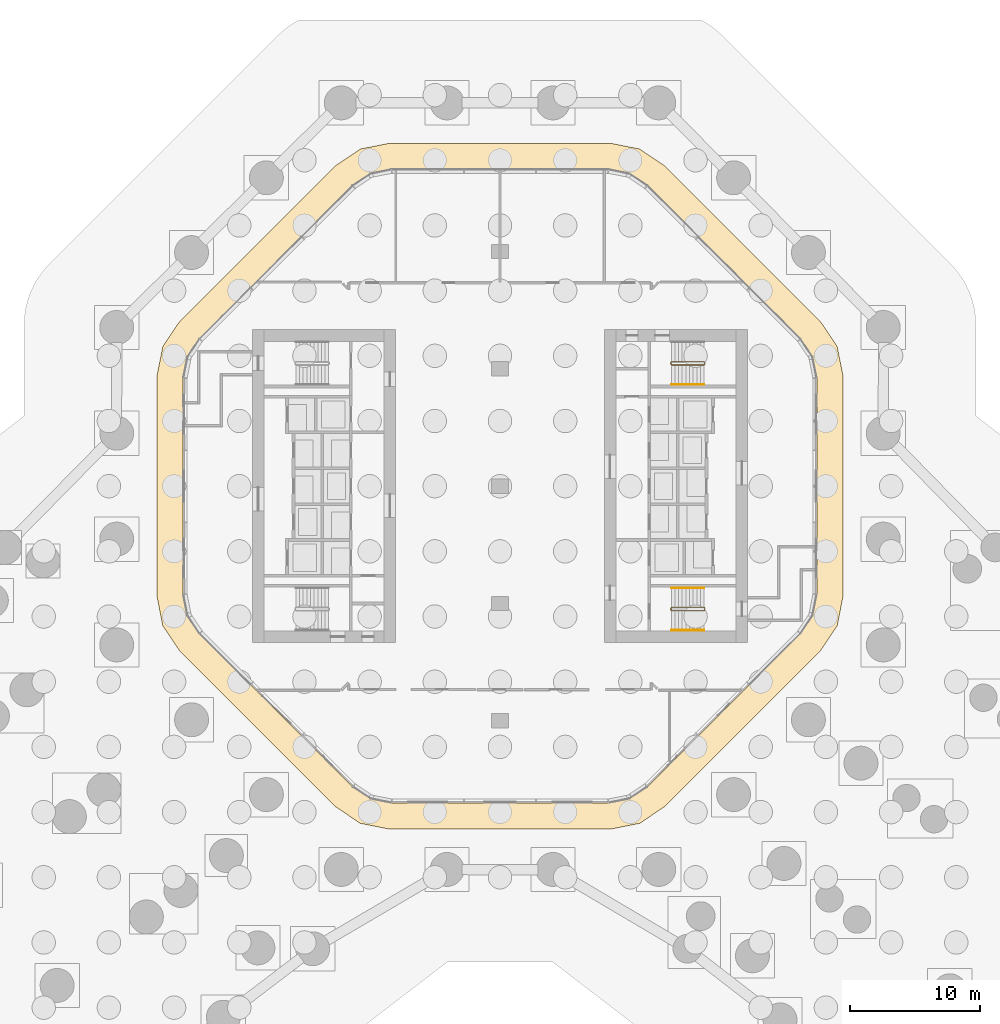
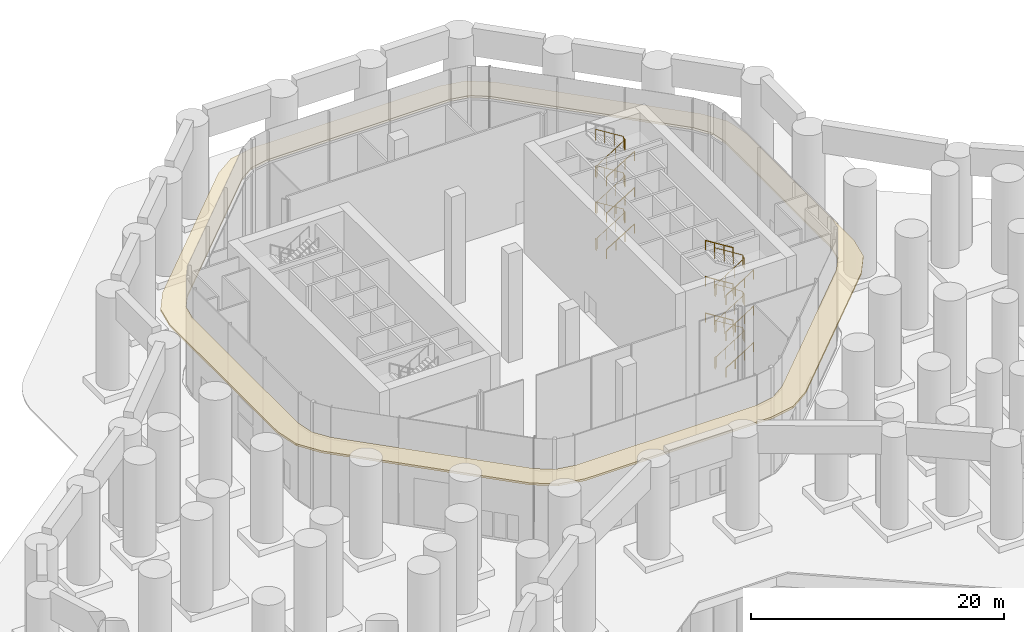
# One storey, part 29 of 31: 11 railings, 1 covering.
"""IFC4 building model written with IfcOpenShell, lengths in metres."""

from ifc_helpers import new_model, si_unit, direction, frame, origin, origin_2d, place, context, subcontext, project, spatial, polyline, circle, outline, extrude, material, layer, layer_set, type_object, element, save


model = new_model("IFC4")

# Units and contexts
model_context = context("Model", 3, precision=1e-05, world=origin(), true_north=direction((0.0, 1.0)))
body_context = subcontext(model_context, "Body", "Model", "MODEL_VIEW")
ifc_project = project(units=[si_unit("LENGTHUNIT", "METRE"), si_unit("AREAUNIT", "SQUARE_METRE"), si_unit("VOLUMEUNIT", "CUBIC_METRE"), si_unit("PLANEANGLEUNIT", "RADIAN"), si_unit("MASSUNIT", "GRAM", prefix="KILO")], contexts=[model_context])

# Site, building, storey
site_placement = place(None, origin())
site = spatial("IfcSite", under=ifc_project, at=site_placement, CompositionType="ELEMENT")
building_placement = place(site_placement, origin())
building = spatial("IfcBuilding", under=site, at=building_placement, Name="Orlundy Tower", CompositionType="ELEMENT")
storey_placement = place(building_placement, origin())
storey = spatial("IfcBuildingStorey", under=building, at=storey_placement, Name="L00", CompositionType="ELEMENT", Elevation=0.0)

# Covering
ifc_material_1 = material(Name="Louvre aluminium bronze anodised", Category="aluminium")
ifc_layer = layer(ifc_material_1, 0.199951171875)
ifc_layer_set = layer_set([ifc_layer], Name="Pavilion canopy")
covering_type = type_object("IfcCoveringType", Name="Pavilion canopy", PredefinedType="USERDEFINED", material=ifc_layer_set)
covering_placement = place(storey_placement, frame((0.0, 0.0, 7.0)))
element("IfcCovering", 1, at=covering_placement, inside=storey, type_object=covering_type, Name="Pavilion canopy", ObjectType="CANOPY", PredefinedType="USERDEFINED", context=body_context, shape_type="SweptSolid", body=[
    extrude(outline(polyline([(-12.5791015625, -24.614013671875), (-24.614013671875, -12.5791015625), (-25.863037109375, -10.712890625), (-26.300048828125, -8.510009765625), (-26.300048828125, 8.510009765625), (-25.863037109375, 10.712890625), (-24.614013671875, 12.5791015625), (-12.5791015625, 24.614013671875), (-10.712890625, 25.863037109375), (-8.510009765625, 26.300048828125), (8.510009765625, 26.300048828125), (10.712890625, 25.863037109375), (12.5791015625, 24.614013671875), (24.614013671875, 12.5791015625), (25.863037109375, 10.712890625), (26.300048828125, 8.510009765625), (26.300048828125, -8.510009765625), (25.863037109375, -10.712890625), (24.614013671875, -12.5791015625), (12.5791015625, -24.614013671875), (10.712890625, -25.863037109375), (8.510009765625, -26.300048828125), (-8.510009765625, -26.300048828125), (-10.712890625, -25.863037109375), (-12.5791015625, -24.614013671875)]), holes=[polyline([(9.931884765625, -23.97900390625), (11.302978515625, -23.06103515625), (23.06103515625, -11.302978515625), (23.97900390625, -9.931884765625), (24.300048828125, -8.31298828125), (24.300048828125, 8.31298828125), (23.97900390625, 9.931884765625), (23.06103515625, 11.302978515625), (11.302978515625, 23.06103515625), (9.931884765625, 23.97900390625), (8.31298828125, 24.300048828125), (-8.31298828125, 24.300048828125), (-9.931884765625, 23.97900390625), (-11.302978515625, 23.06103515625), (-23.06103515625, 11.302978515625), (-23.97900390625, 9.931884765625), (-24.300048828125, 8.31298828125), (-24.300048828125, -8.31298828125), (-23.97900390625, -9.931884765625), (-23.06103515625, -11.302978515625), (-11.302978515625, -23.06103515625), (-9.931884765625, -23.97900390625), (-8.31298828125, -24.300048828125), (8.31298828125, -24.300048828125), (9.931884765625, -23.97900390625)])]), origin(), (0.0, 0.0, 1.0), 0.199951171875),
])

# Railings
ifc_material_2 = material(Name="Steel balustrade", Category="steel")
railing_type_1 = type_object("IfcRailingType", Name="Stair Guard 1100", PredefinedType="GUARDRAIL", material=ifc_material_2)
railing_1_placement = place(storey_placement, frame((13.090087890625, -9.5, 0.0)))
element("IfcRailing", 2, at=railing_1_placement, inside=storey, type_object=railing_type_1, Name="L00 ST-E1 stair guard 1", PredefinedType="GUARDRAIL", context=body_context, shape_type="SweptSolid", body=[
    extrude(circle(Radius=0.02392578125, at=origin_2d()), frame((0.0, 0.0, 1.076171875), z_axis=(0.0, 1.0, 0.0), x_axis=(-1.0, 0.0, 0.0)), (0.0, 0.0, 1.0), 0.14990234375),
    extrude(circle(Radius=0.02392578125, at=origin_2d()), frame((0.0, 0.14990234375, 1.076171875), z_axis=(0.18420542264, -0.739530593833, 0.647427882513), x_axis=(0.970351222016, 0.241699205484, 0.0)), (0.0, 0.0, 1.0), 0.270263671875),
    extrude(circle(Radius=0.02392578125, at=origin_2d()), frame((0.0498046875, -0.050048828125, 1.2509765625), z_axis=(0.848007534815, 0.0, 0.529984170421), x_axis=(0.0, 1.0, 0.0)), (0.0, 0.0, 1.0), 2.9716796875),
    extrude(circle(Radius=0.02392578125, at=origin_2d()), frame((2.56982421875, -0.050048828125, 2.826171875), z_axis=(0.707106781187, 0.707106781187, 0.0), x_axis=(-0.707106781187, 0.707106781187, 0.0)), (0.0, 0.0, 1.0), 0.07080078125),
    extrude(circle(Radius=0.02392578125, at=origin_2d()), frame((2.619873046875, 0.0, 2.826171875), z_axis=(0.0, 1.0, 0.0), x_axis=(-1.0, 0.0, 0.0)), (0.0, 0.0, 1.0), 0.14990234375),
    extrude(circle(Radius=0.02392578125, at=origin_2d()), frame((2.619873046875, 0.14990234375, 2.826171875), z_axis=(-0.265065253269, 0.265065253269, 0.927081885822), x_axis=(-0.707106781187, -0.707106781187, 0.0)), (0.0, 0.0, 1.0), 0.188720703125),
    extrude(circle(Radius=0.02392578125, at=origin_2d()), frame((2.56982421875, 0.199951171875, 3.0009765625), z_axis=(-0.848007534815, 0.0, 0.529984170421), x_axis=(0.0, -1.0, 0.0)), (0.0, 0.0, 1.0), 2.9716796875),
    extrude(circle(Radius=0.02392578125, at=origin_2d()), frame((0.0498046875, 0.199951171875, 4.576171875), z_axis=(-0.241699205484, -0.970351222016, 0.0), x_axis=(0.970351222016, -0.241699205484, 0.0)), (0.0, 0.0, 1.0), 0.2060546875),
    extrude(circle(Radius=0.02392578125, at=origin_2d()), frame((0.0, 0.0, 4.576171875), z_axis=(0.0, 1.0, 0.0), x_axis=(-1.0, 0.0, 0.0)), (0.0, 0.0, 1.0), 0.14990234375),
    extrude(circle(Radius=0.02392578125, at=origin_2d()), frame((0.0, 0.14990234375, 4.576171875), z_axis=(0.18420542264, -0.739530593833, 0.647427882513), x_axis=(0.970351222016, 0.241699205484, 0.0)), (0.0, 0.0, 1.0), 0.270263671875),
    extrude(circle(Radius=0.02392578125, at=origin_2d()), frame((0.0498046875, -0.050048828125, 4.7509765625), z_axis=(0.848007534815, 0.0, 0.529984170421), x_axis=(0.0, 1.0, 0.0)), (0.0, 0.0, 1.0), 2.9716796875),
    extrude(circle(Radius=0.02392578125, at=origin_2d()), frame((2.56982421875, -0.050048828125, 6.326171875), z_axis=(0.707106781187, 0.707106781187, 0.0), x_axis=(-0.707106781187, 0.707106781187, 0.0)), (0.0, 0.0, 1.0), 0.07080078125),
    extrude(circle(Radius=0.02392578125, at=origin_2d()), frame((2.619873046875, 0.0, 6.326171875), z_axis=(0.0, 1.0, 0.0), x_axis=(-1.0, 0.0, 0.0)), (0.0, 0.0, 1.0), 0.14990234375),
    extrude(circle(Radius=0.02392578125, at=origin_2d()), frame((2.619873046875, 0.14990234375, 6.326171875), z_axis=(-0.265065253269, 0.265065253269, 0.927081885822), x_axis=(-0.707106781187, -0.707106781187, 0.0)), (0.0, 0.0, 1.0), 0.188720703125),
    extrude(circle(Radius=0.02392578125, at=origin_2d()), frame((2.56982421875, 0.199951171875, 6.5009765625), z_axis=(-0.848007534815, 0.0, 0.529984170421), x_axis=(0.0, -1.0, 0.0)), (0.0, 0.0, 1.0), 2.9716796875),
    extrude(circle(Radius=0.02392578125, at=origin_2d()), frame((0.0498046875, 0.199951171875, 8.076171875), z_axis=(-0.241699205484, -0.970351222016, 0.0), x_axis=(0.970351222016, -0.241699205484, 0.0)), (0.0, 0.0, 1.0), 0.2060546875),
    extrude(circle(Radius=0.02392578125, at=origin_2d()), frame((0.0, 0.0, 8.076171875), z_axis=(0.0, 1.0, 0.0), x_axis=(-1.0, 0.0, 0.0)), (0.0, 0.0, 1.0), 0.14990234375),
    extrude(circle(Radius=0.02392578125, at=origin_2d()), frame((0.0, 0.14990234375, 8.076171875), z_axis=(0.18420542264, -0.739530593833, 0.647427882513), x_axis=(0.970351222016, 0.241699205484, 0.0)), (0.0, 0.0, 1.0), 0.270263671875),
    extrude(circle(Radius=0.02392578125, at=origin_2d()), frame((0.0498046875, -0.050048828125, 8.2509765625), z_axis=(0.848007534815, 0.0, 0.529984170421), x_axis=(0.0, 1.0, 0.0)), (0.0, 0.0, 1.0), 2.9716796875),
    extrude(circle(Radius=0.02392578125, at=origin_2d()), frame((2.56982421875, -0.050048828125, 9.826171875), z_axis=(0.707106781187, 0.707106781187, 0.0), x_axis=(-0.707106781187, 0.707106781187, 0.0)), (0.0, 0.0, 1.0), 0.07080078125),
    extrude(circle(Radius=0.02392578125, at=origin_2d()), frame((2.619873046875, 0.0, 9.826171875), z_axis=(0.0, 1.0, 0.0), x_axis=(-1.0, 0.0, 0.0)), (0.0, 0.0, 1.0), 0.14990234375),
    extrude(circle(Radius=0.02392578125, at=origin_2d()), frame((2.619873046875, 0.14990234375, 9.826171875), z_axis=(-0.265065253269, 0.265065253269, 0.927081885822), x_axis=(-0.707106781187, -0.707106781187, 0.0)), (0.0, 0.0, 1.0), 0.188720703125),
    extrude(circle(Radius=0.02392578125, at=origin_2d()), frame((2.56982421875, 0.199951171875, 10.0009765625), z_axis=(-0.848007534815, 0.0, 0.529984170421), x_axis=(0.0, -1.0, 0.0)), (0.0, 0.0, 1.0), 2.9716796875),
    extrude(circle(Radius=0.02099609375, at=origin_2d()), origin(), (0.0, 0.0, 1.0), 1.052001953125),
    extrude(circle(Radius=0.02099609375, at=origin_2d()), frame((0.0, 0.14990234375, 0.0)), (0.0, 0.0, 1.0), 1.052001953125),
    extrude(circle(Radius=0.02099609375, at=origin_2d()), frame((0.0498046875, -0.050048828125, 0.175048828125)), (0.0, 0.0, 1.0), 1.052001953125),
    extrude(circle(Radius=0.02099609375, at=origin_2d()), frame((0.889892578125, -0.050048828125, 0.699951171875)), (0.0, 0.0, 1.0), 1.052001953125),
    extrude(circle(Radius=0.02099609375, at=origin_2d()), frame((1.729736328125, -0.050048828125, 1.22509765625)), (0.0, 0.0, 1.0), 1.052001953125),
    extrude(circle(Radius=0.02099609375, at=origin_2d()), frame((2.56982421875, -0.050048828125, 1.75)), (0.0, 0.0, 1.0), 1.052001953125),
    extrude(circle(Radius=0.02099609375, at=origin_2d()), frame((2.619873046875, 0.0, 1.75)), (0.0, 0.0, 1.0), 1.052001953125),
    extrude(circle(Radius=0.02099609375, at=origin_2d()), frame((2.619873046875, 0.14990234375, 1.75)), (0.0, 0.0, 1.0), 1.052001953125),
    extrude(circle(Radius=0.02099609375, at=origin_2d()), frame((2.56982421875, 0.199951171875, 1.925048828125)), (0.0, 0.0, 1.0), 1.052001953125),
    extrude(circle(Radius=0.02099609375, at=origin_2d()), frame((1.729736328125, 0.199951171875, 2.449951171875)), (0.0, 0.0, 1.0), 1.052001953125),
    extrude(circle(Radius=0.02099609375, at=origin_2d()), frame((0.889892578125, 0.199951171875, 2.97509765625)), (0.0, 0.0, 1.0), 1.052001953125),
    extrude(circle(Radius=0.02099609375, at=origin_2d()), frame((0.0498046875, 0.199951171875, 3.5)), (0.0, 0.0, 1.0), 1.052001953125),
    extrude(circle(Radius=0.02099609375, at=origin_2d()), frame((0.0, 0.0, 3.5)), (0.0, 0.0, 1.0), 1.052001953125),
    extrude(circle(Radius=0.02099609375, at=origin_2d()), frame((0.0, 0.14990234375, 3.5)), (0.0, 0.0, 1.0), 1.052001953125),
    extrude(circle(Radius=0.02099609375, at=origin_2d()), frame((0.0498046875, -0.050048828125, 3.675048828125)), (0.0, 0.0, 1.0), 1.052001953125),
    extrude(circle(Radius=0.02099609375, at=origin_2d()), frame((0.889892578125, -0.050048828125, 4.199951171875)), (0.0, 0.0, 1.0), 1.052001953125),
    extrude(circle(Radius=0.02099609375, at=origin_2d()), frame((1.729736328125, -0.050048828125, 4.72509765625)), (0.0, 0.0, 1.0), 1.052001953125),
    extrude(circle(Radius=0.02099609375, at=origin_2d()), frame((2.56982421875, -0.050048828125, 5.25)), (0.0, 0.0, 1.0), 1.052001953125),
    extrude(circle(Radius=0.02099609375, at=origin_2d()), frame((2.619873046875, 0.0, 5.25)), (0.0, 0.0, 1.0), 1.052001953125),
    extrude(circle(Radius=0.02099609375, at=origin_2d()), frame((2.619873046875, 0.14990234375, 5.25)), (0.0, 0.0, 1.0), 1.052001953125),
    extrude(circle(Radius=0.02099609375, at=origin_2d()), frame((2.56982421875, 0.199951171875, 5.425048828125)), (0.0, 0.0, 1.0), 1.052001953125),
    extrude(circle(Radius=0.02099609375, at=origin_2d()), frame((1.729736328125, 0.199951171875, 5.949951171875)), (0.0, 0.0, 1.0), 1.052001953125),
    extrude(circle(Radius=0.02099609375, at=origin_2d()), frame((0.889892578125, 0.199951171875, 6.47509765625)), (0.0, 0.0, 1.0), 1.052001953125),
    extrude(circle(Radius=0.02099609375, at=origin_2d()), frame((0.0498046875, 0.199951171875, 7.0)), (0.0, 0.0, 1.0), 1.052001953125),
    extrude(circle(Radius=0.02099609375, at=origin_2d()), frame((0.0, 0.0, 7.0)), (0.0, 0.0, 1.0), 1.052001953125),
    extrude(circle(Radius=0.02099609375, at=origin_2d()), frame((0.0, 0.14990234375, 7.0)), (0.0, 0.0, 1.0), 1.052001953125),
    extrude(circle(Radius=0.02099609375, at=origin_2d()), frame((0.0498046875, -0.050048828125, 7.175048828125)), (0.0, 0.0, 1.0), 1.052001953125),
    extrude(circle(Radius=0.02099609375, at=origin_2d()), frame((0.889892578125, -0.050048828125, 7.699951171875)), (0.0, 0.0, 1.0), 1.052001953125),
    extrude(circle(Radius=0.02099609375, at=origin_2d()), frame((1.729736328125, -0.050048828125, 8.22509765625)), (0.0, 0.0, 1.0), 1.052001953125),
    extrude(circle(Radius=0.02099609375, at=origin_2d()), frame((2.56982421875, -0.050048828125, 8.75)), (0.0, 0.0, 1.0), 1.052001953125),
    extrude(circle(Radius=0.02099609375, at=origin_2d()), frame((2.619873046875, 0.0, 8.75)), (0.0, 0.0, 1.0), 1.052001953125),
    extrude(circle(Radius=0.02099609375, at=origin_2d()), frame((2.619873046875, 0.14990234375, 8.75)), (0.0, 0.0, 1.0), 1.052001953125),
    extrude(circle(Radius=0.02099609375, at=origin_2d()), frame((2.56982421875, 0.199951171875, 8.925048828125)), (0.0, 0.0, 1.0), 1.052001953125),
    extrude(circle(Radius=0.02099609375, at=origin_2d()), frame((1.729736328125, 0.199951171875, 9.449951171875)), (0.0, 0.0, 1.0), 1.052001953125),
    extrude(circle(Radius=0.02099609375, at=origin_2d()), frame((0.889892578125, 0.199951171875, 9.97509765625)), (0.0, 0.0, 1.0), 1.052001953125),
    extrude(circle(Radius=0.02099609375, at=origin_2d()), frame((0.0498046875, 0.199951171875, 10.5)), (0.0, 0.0, 1.0), 1.052001953125),
])
railing_2_placement = place(storey_placement, frame((13.090087890625, 9.35009765625, 0.0)))
element("IfcRailing", 3, at=railing_2_placement, inside=storey, type_object=railing_type_1, Name="L00 ST-E2 stair guard 1", PredefinedType="GUARDRAIL", context=body_context, shape_type="SweptSolid", body=[
    extrude(circle(Radius=0.02392578125, at=origin_2d()), frame((0.0, 0.0, 1.076171875), z_axis=(0.0, 1.0, 0.0), x_axis=(-1.0, 0.0, 0.0)), (0.0, 0.0, 1.0), 0.14990234375),
    extrude(circle(Radius=0.02392578125, at=origin_2d()), frame((0.0, 0.14990234375, 1.076171875), z_axis=(0.18420542264, -0.739530593833, 0.647427882513), x_axis=(0.970351222016, 0.241699205484, 0.0)), (0.0, 0.0, 1.0), 0.270263671875),
    extrude(circle(Radius=0.02392578125, at=origin_2d()), frame((0.0498046875, -0.050048828125, 1.2509765625), z_axis=(0.848007534815, 0.0, 0.529984170421), x_axis=(0.0, 1.0, 0.0)), (0.0, 0.0, 1.0), 2.9716796875),
    extrude(circle(Radius=0.02392578125, at=origin_2d()), frame((2.56982421875, -0.050048828125, 2.826171875), z_axis=(0.707106781187, 0.707106781187, 0.0), x_axis=(-0.707106781187, 0.707106781187, 0.0)), (0.0, 0.0, 1.0), 0.07080078125),
    extrude(circle(Radius=0.02392578125, at=origin_2d()), frame((2.619873046875, 0.0, 2.826171875), z_axis=(0.0, 1.0, 0.0), x_axis=(-1.0, 0.0, 0.0)), (0.0, 0.0, 1.0), 0.14990234375),
    extrude(circle(Radius=0.02392578125, at=origin_2d()), frame((2.619873046875, 0.14990234375, 2.826171875), z_axis=(-0.265065253269, 0.265065253269, 0.927081885822), x_axis=(-0.707106781187, -0.707106781187, 0.0)), (0.0, 0.0, 1.0), 0.188720703125),
    extrude(circle(Radius=0.02392578125, at=origin_2d()), frame((2.56982421875, 0.199951171875, 3.0009765625), z_axis=(-0.848007534815, 0.0, 0.529984170421), x_axis=(0.0, -1.0, 0.0)), (0.0, 0.0, 1.0), 2.9716796875),
    extrude(circle(Radius=0.02392578125, at=origin_2d()), frame((0.0498046875, 0.199951171875, 4.576171875), z_axis=(-0.241699205484, -0.970351222016, 0.0), x_axis=(0.970351222016, -0.241699205484, 0.0)), (0.0, 0.0, 1.0), 0.2060546875),
    extrude(circle(Radius=0.02392578125, at=origin_2d()), frame((0.0, 0.0, 4.576171875), z_axis=(0.0, 1.0, 0.0), x_axis=(-1.0, 0.0, 0.0)), (0.0, 0.0, 1.0), 0.14990234375),
    extrude(circle(Radius=0.02392578125, at=origin_2d()), frame((0.0, 0.14990234375, 4.576171875), z_axis=(0.18420542264, -0.739530593833, 0.647427882513), x_axis=(0.970351222016, 0.241699205484, 0.0)), (0.0, 0.0, 1.0), 0.270263671875),
    extrude(circle(Radius=0.02392578125, at=origin_2d()), frame((0.0498046875, -0.050048828125, 4.7509765625), z_axis=(0.848007534815, 0.0, 0.529984170421), x_axis=(0.0, 1.0, 0.0)), (0.0, 0.0, 1.0), 2.9716796875),
    extrude(circle(Radius=0.02392578125, at=origin_2d()), frame((2.56982421875, -0.050048828125, 6.326171875), z_axis=(0.707106781187, 0.707106781187, 0.0), x_axis=(-0.707106781187, 0.707106781187, 0.0)), (0.0, 0.0, 1.0), 0.07080078125),
    extrude(circle(Radius=0.02392578125, at=origin_2d()), frame((2.619873046875, 0.0, 6.326171875), z_axis=(0.0, 1.0, 0.0), x_axis=(-1.0, 0.0, 0.0)), (0.0, 0.0, 1.0), 0.14990234375),
    extrude(circle(Radius=0.02392578125, at=origin_2d()), frame((2.619873046875, 0.14990234375, 6.326171875), z_axis=(-0.265065253269, 0.265065253269, 0.927081885822), x_axis=(-0.707106781187, -0.707106781187, 0.0)), (0.0, 0.0, 1.0), 0.188720703125),
    extrude(circle(Radius=0.02392578125, at=origin_2d()), frame((2.56982421875, 0.199951171875, 6.5009765625), z_axis=(-0.848007534815, 0.0, 0.529984170421), x_axis=(0.0, -1.0, 0.0)), (0.0, 0.0, 1.0), 2.9716796875),
    extrude(circle(Radius=0.02392578125, at=origin_2d()), frame((0.0498046875, 0.199951171875, 8.076171875), z_axis=(-0.241699205484, -0.970351222016, 0.0), x_axis=(0.970351222016, -0.241699205484, 0.0)), (0.0, 0.0, 1.0), 0.2060546875),
    extrude(circle(Radius=0.02392578125, at=origin_2d()), frame((0.0, 0.0, 8.076171875), z_axis=(0.0, 1.0, 0.0), x_axis=(-1.0, 0.0, 0.0)), (0.0, 0.0, 1.0), 0.14990234375),
    extrude(circle(Radius=0.02392578125, at=origin_2d()), frame((0.0, 0.14990234375, 8.076171875), z_axis=(0.18420542264, -0.739530593833, 0.647427882513), x_axis=(0.970351222016, 0.241699205484, 0.0)), (0.0, 0.0, 1.0), 0.270263671875),
    extrude(circle(Radius=0.02392578125, at=origin_2d()), frame((0.0498046875, -0.050048828125, 8.2509765625), z_axis=(0.848007534815, 0.0, 0.529984170421), x_axis=(0.0, 1.0, 0.0)), (0.0, 0.0, 1.0), 2.9716796875),
    extrude(circle(Radius=0.02392578125, at=origin_2d()), frame((2.56982421875, -0.050048828125, 9.826171875), z_axis=(0.707106781187, 0.707106781187, 0.0), x_axis=(-0.707106781187, 0.707106781187, 0.0)), (0.0, 0.0, 1.0), 0.07080078125),
    extrude(circle(Radius=0.02392578125, at=origin_2d()), frame((2.619873046875, 0.0, 9.826171875), z_axis=(0.0, 1.0, 0.0), x_axis=(-1.0, 0.0, 0.0)), (0.0, 0.0, 1.0), 0.14990234375),
    extrude(circle(Radius=0.02392578125, at=origin_2d()), frame((2.619873046875, 0.14990234375, 9.826171875), z_axis=(-0.265065253269, 0.265065253269, 0.927081885822), x_axis=(-0.707106781187, -0.707106781187, 0.0)), (0.0, 0.0, 1.0), 0.188720703125),
    extrude(circle(Radius=0.02392578125, at=origin_2d()), frame((2.56982421875, 0.199951171875, 10.0009765625), z_axis=(-0.848007534815, 0.0, 0.529984170421), x_axis=(0.0, -1.0, 0.0)), (0.0, 0.0, 1.0), 2.9716796875),
    extrude(circle(Radius=0.02099609375, at=origin_2d()), origin(), (0.0, 0.0, 1.0), 1.052001953125),
    extrude(circle(Radius=0.02099609375, at=origin_2d()), frame((0.0, 0.14990234375, 0.0)), (0.0, 0.0, 1.0), 1.052001953125),
    extrude(circle(Radius=0.02099609375, at=origin_2d()), frame((0.0498046875, -0.050048828125, 0.175048828125)), (0.0, 0.0, 1.0), 1.052001953125),
    extrude(circle(Radius=0.02099609375, at=origin_2d()), frame((0.889892578125, -0.050048828125, 0.699951171875)), (0.0, 0.0, 1.0), 1.052001953125),
    extrude(circle(Radius=0.02099609375, at=origin_2d()), frame((1.729736328125, -0.050048828125, 1.22509765625)), (0.0, 0.0, 1.0), 1.052001953125),
    extrude(circle(Radius=0.02099609375, at=origin_2d()), frame((2.56982421875, -0.050048828125, 1.75)), (0.0, 0.0, 1.0), 1.052001953125),
    extrude(circle(Radius=0.02099609375, at=origin_2d()), frame((2.619873046875, 0.0, 1.75)), (0.0, 0.0, 1.0), 1.052001953125),
    extrude(circle(Radius=0.02099609375, at=origin_2d()), frame((2.619873046875, 0.14990234375, 1.75)), (0.0, 0.0, 1.0), 1.052001953125),
    extrude(circle(Radius=0.02099609375, at=origin_2d()), frame((2.56982421875, 0.199951171875, 1.925048828125)), (0.0, 0.0, 1.0), 1.052001953125),
    extrude(circle(Radius=0.02099609375, at=origin_2d()), frame((1.729736328125, 0.199951171875, 2.449951171875)), (0.0, 0.0, 1.0), 1.052001953125),
    extrude(circle(Radius=0.02099609375, at=origin_2d()), frame((0.889892578125, 0.199951171875, 2.97509765625)), (0.0, 0.0, 1.0), 1.052001953125),
    extrude(circle(Radius=0.02099609375, at=origin_2d()), frame((0.0498046875, 0.199951171875, 3.5)), (0.0, 0.0, 1.0), 1.052001953125),
    extrude(circle(Radius=0.02099609375, at=origin_2d()), frame((0.0, 0.0, 3.5)), (0.0, 0.0, 1.0), 1.052001953125),
    extrude(circle(Radius=0.02099609375, at=origin_2d()), frame((0.0, 0.14990234375, 3.5)), (0.0, 0.0, 1.0), 1.052001953125),
    extrude(circle(Radius=0.02099609375, at=origin_2d()), frame((0.0498046875, -0.050048828125, 3.675048828125)), (0.0, 0.0, 1.0), 1.052001953125),
    extrude(circle(Radius=0.02099609375, at=origin_2d()), frame((0.889892578125, -0.050048828125, 4.199951171875)), (0.0, 0.0, 1.0), 1.052001953125),
    extrude(circle(Radius=0.02099609375, at=origin_2d()), frame((1.729736328125, -0.050048828125, 4.72509765625)), (0.0, 0.0, 1.0), 1.052001953125),
    extrude(circle(Radius=0.02099609375, at=origin_2d()), frame((2.56982421875, -0.050048828125, 5.25)), (0.0, 0.0, 1.0), 1.052001953125),
    extrude(circle(Radius=0.02099609375, at=origin_2d()), frame((2.619873046875, 0.0, 5.25)), (0.0, 0.0, 1.0), 1.052001953125),
    extrude(circle(Radius=0.02099609375, at=origin_2d()), frame((2.619873046875, 0.14990234375, 5.25)), (0.0, 0.0, 1.0), 1.052001953125),
    extrude(circle(Radius=0.02099609375, at=origin_2d()), frame((2.56982421875, 0.199951171875, 5.425048828125)), (0.0, 0.0, 1.0), 1.052001953125),
    extrude(circle(Radius=0.02099609375, at=origin_2d()), frame((1.729736328125, 0.199951171875, 5.949951171875)), (0.0, 0.0, 1.0), 1.052001953125),
    extrude(circle(Radius=0.02099609375, at=origin_2d()), frame((0.889892578125, 0.199951171875, 6.47509765625)), (0.0, 0.0, 1.0), 1.052001953125),
    extrude(circle(Radius=0.02099609375, at=origin_2d()), frame((0.0498046875, 0.199951171875, 7.0)), (0.0, 0.0, 1.0), 1.052001953125),
    extrude(circle(Radius=0.02099609375, at=origin_2d()), frame((0.0, 0.0, 7.0)), (0.0, 0.0, 1.0), 1.052001953125),
    extrude(circle(Radius=0.02099609375, at=origin_2d()), frame((0.0, 0.14990234375, 7.0)), (0.0, 0.0, 1.0), 1.052001953125),
    extrude(circle(Radius=0.02099609375, at=origin_2d()), frame((0.0498046875, -0.050048828125, 7.175048828125)), (0.0, 0.0, 1.0), 1.052001953125),
    extrude(circle(Radius=0.02099609375, at=origin_2d()), frame((0.889892578125, -0.050048828125, 7.699951171875)), (0.0, 0.0, 1.0), 1.052001953125),
    extrude(circle(Radius=0.02099609375, at=origin_2d()), frame((1.729736328125, -0.050048828125, 8.22509765625)), (0.0, 0.0, 1.0), 1.052001953125),
    extrude(circle(Radius=0.02099609375, at=origin_2d()), frame((2.56982421875, -0.050048828125, 8.75)), (0.0, 0.0, 1.0), 1.052001953125),
    extrude(circle(Radius=0.02099609375, at=origin_2d()), frame((2.619873046875, 0.0, 8.75)), (0.0, 0.0, 1.0), 1.052001953125),
    extrude(circle(Radius=0.02099609375, at=origin_2d()), frame((2.619873046875, 0.14990234375, 8.75)), (0.0, 0.0, 1.0), 1.052001953125),
    extrude(circle(Radius=0.02099609375, at=origin_2d()), frame((2.56982421875, 0.199951171875, 8.925048828125)), (0.0, 0.0, 1.0), 1.052001953125),
    extrude(circle(Radius=0.02099609375, at=origin_2d()), frame((1.729736328125, 0.199951171875, 9.449951171875)), (0.0, 0.0, 1.0), 1.052001953125),
    extrude(circle(Radius=0.02099609375, at=origin_2d()), frame((0.889892578125, 0.199951171875, 9.97509765625)), (0.0, 0.0, 1.0), 1.052001953125),
    extrude(circle(Radius=0.02099609375, at=origin_2d()), frame((0.0498046875, 0.199951171875, 10.5)), (0.0, 0.0, 1.0), 1.052001953125),
])
ifc_material_3 = material(Name="Steel handrail", Category="steel")
railing_type_2 = type_object("IfcRailingType", Name="Stair Handrail 900", PredefinedType="HANDRAIL", material=ifc_material_3)
railing_3_placement = place(storey_placement, frame((13.139892578125, -11.050048828125, 0.175048828125)))
element("IfcRailing", 4, at=railing_3_placement, inside=storey, type_object=railing_type_2, Name="L00 ST-E1 stair handrail 1", PredefinedType="HANDRAIL", context=body_context, shape_type="SweptSolid", body=[
    extrude(circle(Radius=0.02392578125, at=origin_2d()), frame((0.0, 0.0, 0.8759765625), z_axis=(0.848007534815, 0.0, 0.529984170421), x_axis=(0.0, 1.0, 0.0)), (0.0, 0.0, 1.0), 2.9716796875),
    extrude(circle(Radius=0.02099609375, at=origin_2d()), origin(), (0.0, 0.0, 1.0), 0.851806640625),
    extrude(circle(Radius=0.02099609375, at=origin_2d()), frame((0.840087890625, 0.0, 0.52490234375)), (0.0, 0.0, 1.0), 0.851806640625),
    extrude(circle(Radius=0.02099609375, at=origin_2d()), frame((1.679931640625, 0.0, 1.050048828125)), (0.0, 0.0, 1.0), 0.851806640625),
    extrude(circle(Radius=0.02099609375, at=origin_2d()), frame((2.52001953125, 0.0, 1.574951171875)), (0.0, 0.0, 1.0), 0.851806640625),
])
railing_4_placement = place(storey_placement, frame((15.659912109375, -7.800048828125, 1.925048828125)))
element("IfcRailing", 5, at=railing_4_placement, inside=storey, type_object=railing_type_2, Name="L00 ST-E1 stair handrail 2", PredefinedType="HANDRAIL", context=body_context, shape_type="SweptSolid", body=[
    extrude(circle(Radius=0.02392578125, at=origin_2d()), frame((0.0, 0.0, 0.8759765625), z_axis=(-0.848007534815, 0.0, 0.529984170421), x_axis=(0.0, -1.0, 0.0)), (0.0, 0.0, 1.0), 2.9716796875),
    extrude(circle(Radius=0.02099609375, at=origin_2d()), origin(), (0.0, 0.0, 1.0), 0.851806640625),
    extrude(circle(Radius=0.02099609375, at=origin_2d()), frame((-0.840087890625, 0.0, 0.52490234375)), (0.0, 0.0, 1.0), 0.851806640625),
    extrude(circle(Radius=0.02099609375, at=origin_2d()), frame((-1.679931640625, 0.0, 1.050048828125)), (0.0, 0.0, 1.0), 0.851806640625),
    extrude(circle(Radius=0.02099609375, at=origin_2d()), frame((-2.52001953125, 0.0, 1.574951171875)), (0.0, 0.0, 1.0), 0.851806640625),
])
railing_5_placement = place(storey_placement, frame((13.139892578125, -11.050048828125, 3.675048828125)))
element("IfcRailing", 6, at=railing_5_placement, inside=storey, type_object=railing_type_2, Name="L00 ST-E1 stair handrail 3", PredefinedType="HANDRAIL", context=body_context, shape_type="SweptSolid", body=[
    extrude(circle(Radius=0.02392578125, at=origin_2d()), frame((0.0, 0.0, 0.8759765625), z_axis=(0.848007534815, 0.0, 0.529984170421), x_axis=(0.0, 1.0, 0.0)), (0.0, 0.0, 1.0), 2.9716796875),
    extrude(circle(Radius=0.02099609375, at=origin_2d()), origin(), (0.0, 0.0, 1.0), 0.851806640625),
    extrude(circle(Radius=0.02099609375, at=origin_2d()), frame((0.840087890625, 0.0, 0.52490234375)), (0.0, 0.0, 1.0), 0.851806640625),
    extrude(circle(Radius=0.02099609375, at=origin_2d()), frame((1.679931640625, 0.0, 1.050048828125)), (0.0, 0.0, 1.0), 0.851806640625),
    extrude(circle(Radius=0.02099609375, at=origin_2d()), frame((2.52001953125, 0.0, 1.574951171875)), (0.0, 0.0, 1.0), 0.851806640625),
])
railing_6_placement = place(storey_placement, frame((15.659912109375, -7.800048828125, 5.425048828125)))
element("IfcRailing", 7, at=railing_6_placement, inside=storey, type_object=railing_type_2, Name="L00 ST-E1 stair handrail 4", PredefinedType="HANDRAIL", context=body_context, shape_type="SweptSolid", body=[
    extrude(circle(Radius=0.02392578125, at=origin_2d()), frame((0.0, 0.0, 0.8759765625), z_axis=(-0.848007534815, 0.0, 0.529984170421), x_axis=(0.0, -1.0, 0.0)), (0.0, 0.0, 1.0), 2.9716796875),
    extrude(circle(Radius=0.02099609375, at=origin_2d()), origin(), (0.0, 0.0, 1.0), 0.851806640625),
    extrude(circle(Radius=0.02099609375, at=origin_2d()), frame((-0.840087890625, 0.0, 0.52490234375)), (0.0, 0.0, 1.0), 0.851806640625),
    extrude(circle(Radius=0.02099609375, at=origin_2d()), frame((-1.679931640625, 0.0, 1.050048828125)), (0.0, 0.0, 1.0), 0.851806640625),
    extrude(circle(Radius=0.02099609375, at=origin_2d()), frame((-2.52001953125, 0.0, 1.574951171875)), (0.0, 0.0, 1.0), 0.851806640625),
])
railing_7_placement = place(storey_placement, frame((13.139892578125, -11.050048828125, 7.175048828125)))
element("IfcRailing", 8, at=railing_7_placement, inside=storey, type_object=railing_type_2, Name="L00 ST-E1 stair handrail 5", PredefinedType="HANDRAIL", context=body_context, shape_type="SweptSolid", body=[
    extrude(circle(Radius=0.02392578125, at=origin_2d()), frame((0.0, 0.0, 0.8759765625), z_axis=(0.848007534815, 0.0, 0.529984170421), x_axis=(0.0, 1.0, 0.0)), (0.0, 0.0, 1.0), 2.9716796875),
    extrude(circle(Radius=0.02099609375, at=origin_2d()), origin(), (0.0, 0.0, 1.0), 0.851806640625),
    extrude(circle(Radius=0.02099609375, at=origin_2d()), frame((0.840087890625, 0.0, 0.52490234375)), (0.0, 0.0, 1.0), 0.851806640625),
    extrude(circle(Radius=0.02099609375, at=origin_2d()), frame((1.679931640625, 0.0, 1.050048828125)), (0.0, 0.0, 1.0), 0.851806640625),
    extrude(circle(Radius=0.02099609375, at=origin_2d()), frame((2.52001953125, 0.0, 1.574951171875)), (0.0, 0.0, 1.0), 0.851806640625),
])
railing_8_placement = place(storey_placement, frame((15.659912109375, -7.800048828125, 8.925048828125)))
element("IfcRailing", 9, at=railing_8_placement, inside=storey, type_object=railing_type_2, Name="L00 ST-E1 stair handrail 6", PredefinedType="HANDRAIL", context=body_context, shape_type="SweptSolid", body=[
    extrude(circle(Radius=0.02392578125, at=origin_2d()), frame((0.0, 0.0, 0.8759765625), z_axis=(-0.848007534815, 0.0, 0.529984170421), x_axis=(0.0, -1.0, 0.0)), (0.0, 0.0, 1.0), 2.9716796875),
    extrude(circle(Radius=0.02099609375, at=origin_2d()), origin(), (0.0, 0.0, 1.0), 0.851806640625),
    extrude(circle(Radius=0.02099609375, at=origin_2d()), frame((-0.840087890625, 0.0, 0.52490234375)), (0.0, 0.0, 1.0), 0.851806640625),
    extrude(circle(Radius=0.02099609375, at=origin_2d()), frame((-1.679931640625, 0.0, 1.050048828125)), (0.0, 0.0, 1.0), 0.851806640625),
    extrude(circle(Radius=0.02099609375, at=origin_2d()), frame((-2.52001953125, 0.0, 1.574951171875)), (0.0, 0.0, 1.0), 0.851806640625),
])
for number, where, name in (
    (10, (13.139892578125, 7.800048828125, 0.175048828125), "L00 ST-E2 stair handrail 1"),
    (11, (13.139892578125, 7.800048828125, 3.675048828125), "L00 ST-E2 stair handrail 3"),
    (12, (13.139892578125, 7.800048828125, 7.175048828125), "L00 ST-E2 stair handrail 5"),
):
    element("IfcRailing", number, at=place(storey_placement, frame(where)), inside=storey, type_object=railing_type_2, Name=name, PredefinedType="HANDRAIL", context=body_context, shape_type="SweptSolid", body=[
        extrude(circle(Radius=0.02392578125, at=origin_2d()), frame((0.0, 0.0, 0.8759765625), z_axis=(0.848007534815, 0.0, 0.529984170421), x_axis=(0.0, 1.0, 0.0)), (0.0, 0.0, 1.0), 2.9716796875),
        extrude(circle(Radius=0.02099609375, at=origin_2d()), origin(), (0.0, 0.0, 1.0), 0.851806640625),
        extrude(circle(Radius=0.02099609375, at=origin_2d()), frame((0.840087890625, 0.0, 0.52490234375)), (0.0, 0.0, 1.0), 0.851806640625),
        extrude(circle(Radius=0.02099609375, at=origin_2d()), frame((1.679931640625, 0.0, 1.050048828125)), (0.0, 0.0, 1.0), 0.851806640625),
        extrude(circle(Radius=0.02099609375, at=origin_2d()), frame((2.52001953125, 0.0, 1.574951171875)), (0.0, 0.0, 1.0), 0.851806640625),
    ])

save(model, "model.ifc")
